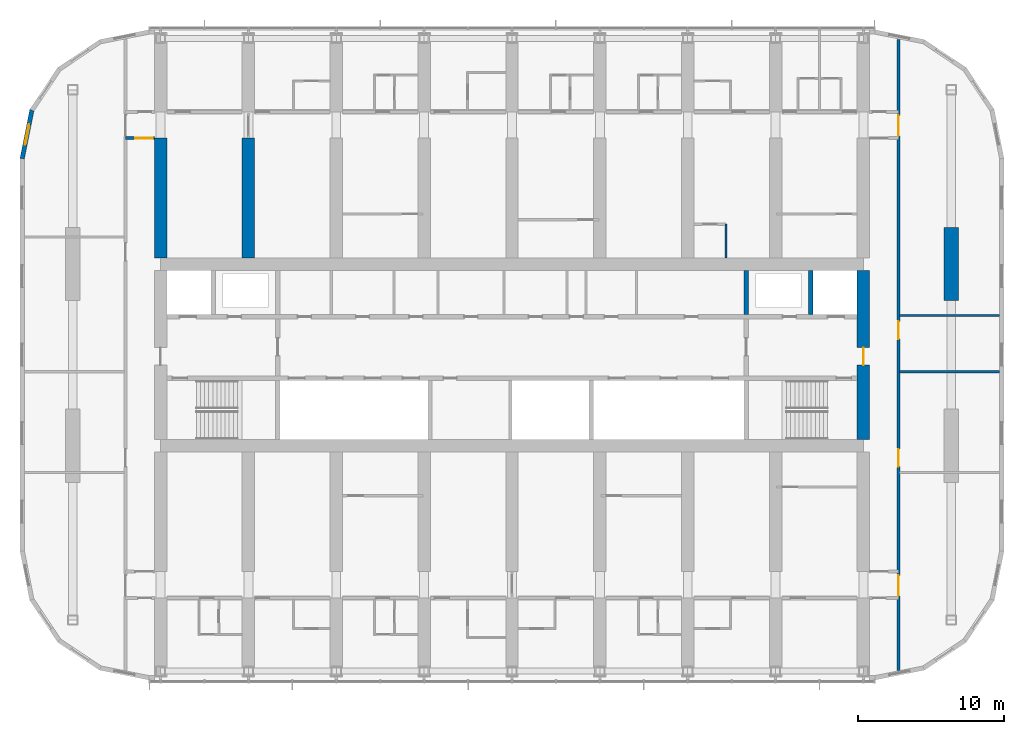
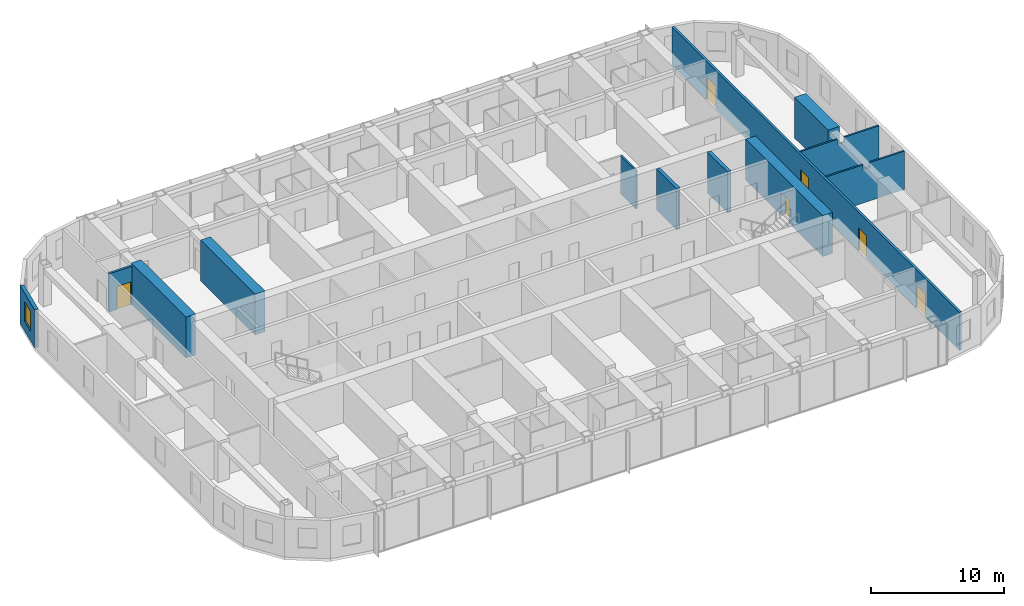
# One storey, part 14 of 22: 12 walls, 6 doors, 1 window, 7 openings.
"""IFC4 building model written with IfcOpenShell, lengths in metres."""

from ifc_helpers import new_model, si_unit, direction, frame, frame_2d, origin, place, context, subcontext, project, spatial, polyline, rectangle, outline, extrude, material, layer, layer_set, type_object, element, fill, save


model = new_model("IFC4")

# Units and contexts
model_context = context("Model", 3, precision=1e-05, world=origin(), true_north=direction((0.0, 1.0)))
body_context = subcontext(model_context, "Body", "Model", "MODEL_VIEW")
ifc_project = project(units=[si_unit("LENGTHUNIT", "METRE"), si_unit("AREAUNIT", "SQUARE_METRE"), si_unit("VOLUMEUNIT", "CUBIC_METRE"), si_unit("PLANEANGLEUNIT", "RADIAN"), si_unit("MASSUNIT", "GRAM", prefix="KILO")], contexts=[model_context])

# Site, building, storey
site_placement = place(None, origin())
site = spatial("IfcSite", under=ifc_project, at=site_placement, CompositionType="ELEMENT")
building_placement = place(site_placement, origin())
building = spatial("IfcBuilding", under=site, at=building_placement, Name="Orbita Commons", CompositionType="ELEMENT")
storey_placement = place(building_placement, frame((0.0, 0.0, 156.10009765625)))
storey = spatial("IfcBuildingStorey", under=building, at=storey_placement, Name="L38", CompositionType="ELEMENT", Elevation=156.10009765625)

# Walls
ifc_material_1 = material(Name="Concrete C50/60", Category="concrete")
ifc_layer_1 = layer(ifc_material_1, 0.300048828125)
ifc_layer_set_1 = layer_set([ifc_layer_1], Name="Concrete C50/60")
wall_type_1 = type_object("IfcWallType", Name="Core inner wall 300 C50/60", PredefinedType="SHEAR", material=ifc_layer_set_1)
for number, where, z_axis, x_axis, name in (
    (1, (62.39990234375, 34.75, 0.0), (0.0, 0.0, 1.0), (0.0, 1.0, 0.0), "Firefighting lift FL2 shaft wall L38"),
    (2, (58.0, 34.75, 0.0), (0.0, 0.0, 1.0), (0.0, 1.0, 0.0), "Riser wall east L38"),
):
    element("IfcWall", number, at=place(storey_placement, frame(where, z_axis=z_axis, x_axis=x_axis)), inside=storey, type_object=wall_type_1, Name=name, PredefinedType="SHEAR", context=body_context, shape_type="SweptSolid", body=[
        extrude(rectangle(XDim=3.02490234375, YDim=0.300048828125, at=frame_2d((1.512451171875, 0.0))), origin(), (0.0, 0.0, 1.0), 3.75),
    ])

# Wall, opening, door
ifc_material_2 = material(Name="Concrete C50/60", Category="concrete")
ifc_layer_2 = layer(ifc_material_2, 0.85009765625)
ifc_layer_set_2 = layer_set([ifc_layer_2], Name="Concrete C50/60")
wall_type_2 = type_object("IfcWallType", Name="Core wall 850 C50/60", PredefinedType="SHEAR", material=ifc_layer_set_2)
wall_1_placement = place(storey_placement, frame((66.0, 26.22509765625, 0.0), z_axis=(0.0, 0.0, 1.0), x_axis=(0.0, 1.0, 0.0)))
wall_1 = element("IfcWall", 3, at=wall_1_placement, inside=storey, type_object=wall_type_2, Name="Core end wall east L38", PredefinedType="SHEAR", context=body_context, shape_type="SweptSolid", body=[
    extrude(rectangle(XDim=11.5498046875, YDim=0.85009765625, at=frame_2d((5.77490234375, 0.0))), origin(), (0.0, 0.0, 1.0), 3.75),
])
opening_1_placement = place(wall_1_placement, frame((5.074951171875, 0.0, 0.0)))
opening_1 = element("IfcOpeningElement", 4, at=opening_1_placement, cuts=wall_1, Name="Opening D01", PredefinedType="OPENING", context=body_context, shape_type="SweptSolid", body=[
    extrude(rectangle(XDim=1.199951171875, YDim=2.10009765625, at=frame_2d((0.60009765625, 1.050048828125))), frame((0.0, 0.43505859375, 0.0), z_axis=(0.0, -1.0, 0.0), x_axis=(1.0, 0.0, 0.0)), (0.0, 0.0, 1.0), 0.8701171875),
])
ifc_material_3 = material(Name="Steel-faced fire door leaf", Category="steel")
door_type_1 = type_object("IfcDoorType", Name="Fire door 90 min 1200x2100", OperationType="SINGLE_SWING_LEFT", PredefinedType="DOOR", material=ifc_material_3)
door_1_placement = place(opening_1_placement, origin())
door_1 = element("IfcDoor", 5, at=door_1_placement, inside=storey, type_object=door_type_1, Name="Firefighting lobby east door", OperationType="SINGLE_SWING_LEFT", OverallHeight=2.10009765625, OverallWidth=1.199951171875, PredefinedType="DOOR", context=body_context, shape_type="SweptSolid", body=[
    extrude(rectangle(XDim=1.199951171875, YDim=2.10009765625, at=frame_2d((0.60009765625, 1.050048828125))), frame((0.0, 0.02490234375, 0.0), z_axis=(0.0, -1.0, 0.0), x_axis=(1.0, 0.0, 0.0)), (0.0, 0.0, 1.0), 0.050048828125),
])
fill(opening_1, door_1)

# Wall, openings, doors
ifc_material_4 = material(Name="Concrete blockwork", Category="masonry")
ifc_layer_3 = layer(ifc_material_4, 0.199951171875)
ifc_layer_set_3 = layer_set([ifc_layer_3], Name="Concrete blockwork")
wall_type_3 = type_object("IfcWallType", Name="Corridor wall 200 blockwork", PredefinedType="SOLIDWALL", material=ifc_layer_set_3)
wall_2_placement = place(storey_placement, frame((68.39990234375, 10.4462890625, 0.0), z_axis=(0.0, 0.0, 1.0), x_axis=(0.0, 1.0, 0.0)))
wall_2 = element("IfcWall", 6, at=wall_2_placement, inside=storey, type_object=wall_type_3, Name="Corridor wall 200 blockwork L38", PredefinedType="SOLIDWALL", context=body_context, shape_type="SweptSolid", body=[
    extrude(rectangle(XDim=43.107421875, YDim=0.199951171875, at=frame_2d((21.5537109375, 0.0))), origin(), (0.0, 0.0, 1.0), 3.5),
])
opening_2_placement = place(wall_2_placement, frame((13.913818359375, 0.0, 0.0)))
opening_2 = element("IfcOpeningElement", 7, at=opening_2_placement, cuts=wall_2, Name="Opening D15", PredefinedType="OPENING", context=body_context, shape_type="SweptSolid", body=[
    extrude(rectangle(XDim=1.199951171875, YDim=2.10009765625, at=frame_2d((0.60009765625, 1.050048828125))), frame((0.0, 0.10986328125, 0.0), z_axis=(0.0, -1.0, 0.0), x_axis=(1.0, 0.0, 0.0)), (0.0, 0.0, 1.0), 0.219970703125),
])
opening_3_placement = place(wall_2_placement, frame((22.6337890625, 0.0, 0.0)))
opening_3 = element("IfcOpeningElement", 8, at=opening_3_placement, cuts=wall_2, Name="Opening D15", PredefinedType="OPENING", context=body_context, shape_type="SweptSolid", body=[
    extrude(rectangle(XDim=1.199951171875, YDim=2.10009765625, at=frame_2d((0.60009765625, 1.050048828125))), frame((0.0, 0.10986328125, 0.0), z_axis=(0.0, -1.0, 0.0), x_axis=(1.0, 0.0, 0.0)), (0.0, 0.0, 1.0), 0.219970703125),
])
opening_4_placement = place(wall_2_placement, frame((5.103759765625, 0.0, 0.0)))
opening_4 = element("IfcOpeningElement", 9, at=opening_4_placement, cuts=wall_2, Name="Opening D08", PredefinedType="OPENING", context=body_context, shape_type="SweptSolid", body=[
    extrude(rectangle(XDim=1.39990234375, YDim=2.10009765625, at=frame_2d((0.699951171875, 1.050048828125))), frame((0.0, 0.10986328125, 0.0), z_axis=(0.0, -1.0, 0.0), x_axis=(1.0, 0.0, 0.0)), (0.0, 0.0, 1.0), 0.219970703125),
])
opening_5_placement = place(wall_2_placement, frame((36.50390625, 0.0, 0.0)))
opening_5 = element("IfcOpeningElement", 10, at=opening_5_placement, cuts=wall_2, Name="Opening D08", PredefinedType="OPENING", context=body_context, shape_type="SweptSolid", body=[
    extrude(rectangle(XDim=1.39990234375, YDim=2.10009765625, at=frame_2d((0.699951171875, 1.050048828125))), frame((0.0, 0.10986328125, 0.0), z_axis=(0.0, -1.0, 0.0), x_axis=(1.0, 0.0, 0.0)), (0.0, 0.0, 1.0), 0.219970703125),
])
ifc_material_5 = material(Name="Steel-faced fire door leaf", Category="steel")
door_type_2 = type_object("IfcDoorType", Name="Corridor door 20 min 1200x2100", OperationType="SINGLE_SWING_LEFT", PredefinedType="DOOR", material=ifc_material_5)
door_2_placement = place(opening_2_placement, origin())
door_2 = element("IfcDoor", 11, at=door_2_placement, inside=storey, type_object=door_type_2, Name="Study hall door", OperationType="SINGLE_SWING_LEFT", OverallHeight=2.10009765625, OverallWidth=1.199951171875, PredefinedType="DOOR", context=body_context, shape_type="SweptSolid", body=[
    extrude(rectangle(XDim=1.199951171875, YDim=2.10009765625, at=frame_2d((0.60009765625, 1.050048828125))), frame((0.0, 0.02490234375, 0.0), z_axis=(0.0, -1.0, 0.0), x_axis=(1.0, 0.0, 0.0)), (0.0, 0.0, 1.0), 0.050048828125),
])
fill(opening_2, door_2)
door_3_placement = place(opening_3_placement, origin())
door_3 = element("IfcDoor", 12, at=door_3_placement, inside=storey, type_object=door_type_2, Name="Observatory lounge door", OperationType="SINGLE_SWING_LEFT", OverallHeight=2.10009765625, OverallWidth=1.199951171875, PredefinedType="DOOR", context=body_context, shape_type="SweptSolid", body=[
    extrude(rectangle(XDim=1.199951171875, YDim=2.10009765625, at=frame_2d((0.60009765625, 1.050048828125))), frame((0.0, 0.02490234375, 0.0), z_axis=(0.0, -1.0, 0.0), x_axis=(1.0, 0.0, 0.0)), (0.0, 0.0, 1.0), 0.050048828125),
])
fill(opening_3, door_3)
ifc_material_6 = material(Name="Steel-faced fire door leaf", Category="steel")
door_type_3 = type_object("IfcDoorType", Name="Double corridor door 20 min 1400x2100", OperationType="DOUBLE_DOOR_SINGLE_SWING", PredefinedType="DOOR", material=ifc_material_6)
door_4_placement = place(opening_4_placement, origin())
door_4 = element("IfcDoor", 13, at=door_4_placement, inside=storey, type_object=door_type_3, Name="Lounge doors", OperationType="DOUBLE_DOOR_SINGLE_SWING", OverallHeight=2.10009765625, OverallWidth=1.39990234375, PredefinedType="DOOR", context=body_context, shape_type="SweptSolid", body=[
    extrude(rectangle(XDim=1.39990234375, YDim=2.10009765625, at=frame_2d((0.699951171875, 1.050048828125))), frame((0.0, 0.02490234375, 0.0), z_axis=(0.0, -1.0, 0.0), x_axis=(1.0, 0.0, 0.0)), (0.0, 0.0, 1.0), 0.050048828125),
])
fill(opening_4, door_4)
door_5_placement = place(opening_5_placement, origin())
door_5 = element("IfcDoor", 14, at=door_5_placement, inside=storey, type_object=door_type_3, Name="Lounge doors", OperationType="DOUBLE_DOOR_SINGLE_SWING", OverallHeight=2.10009765625, OverallWidth=1.39990234375, PredefinedType="DOOR", context=body_context, shape_type="SweptSolid", body=[
    extrude(rectangle(XDim=1.39990234375, YDim=2.10009765625, at=frame_2d((0.699951171875, 1.050048828125))), frame((0.0, 0.02490234375, 0.0), z_axis=(0.0, -1.0, 0.0), x_axis=(1.0, 0.0, 0.0)), (0.0, 0.0, 1.0), 0.050048828125),
])
fill(opening_5, door_5)

# Wall, opening, door
ifc_material_7 = material(Name="Hollow concrete block 200", Category="concrete")
ifc_layer_4 = layer(ifc_material_7, 0.199951171875)
ifc_layer_set_4 = layer_set([ifc_layer_4], Name="Hollow concrete block 200")
wall_type_4 = type_object("IfcWallType", Name="Corridor wall 200 hollow concrete block", PredefinedType="SOLIDWALL", material=ifc_layer_set_4)
wall_3_placement = place(storey_placement, frame((15.60009765625, 46.800048828125, 0.0), z_axis=(0.0, 0.0, 1.0), x_axis=(1.0, 0.0, 0.0)))
wall_3 = element("IfcWall", 15, at=wall_3_placement, inside=storey, type_object=wall_type_4, Name="Corridor wall 200 hollow concrete block L38", PredefinedType="SOLIDWALL", context=body_context, shape_type="SweptSolid", body=[
    extrude(rectangle(XDim=1.974853515625, YDim=0.199951171875, at=frame_2d((0.9873046875, 0.0))), origin(), (0.0, 0.0, 1.0), 3.5),
])
opening_6_placement = place(wall_3_placement, frame((0.675048828125, 0.0, 0.0)))
opening_6 = element("IfcOpeningElement", 16, at=opening_6_placement, cuts=wall_3, Name="Opening D12", PredefinedType="OPENING", context=body_context, shape_type="SweptSolid", body=[
    extrude(rectangle(XDim=1.199951171875, YDim=2.10009765625, at=frame_2d((0.60009765625, 1.050048828125))), frame((0.0, 0.10986328125, 0.0), z_axis=(0.0, -1.0, 0.0), x_axis=(1.0, 0.0, 0.0)), (0.0, 0.0, 1.0), 0.219970703125),
])
ifc_material_8 = material(Name="Steel-faced fire door leaf", Category="steel")
door_type_4 = type_object("IfcDoorType", Name="Double corridor door 20 min 1200x2100", OperationType="DOUBLE_DOOR_SINGLE_SWING", PredefinedType="DOOR", material=ifc_material_8)
door_6_placement = place(opening_6_placement, origin())
door_6 = element("IfcDoor", 17, at=door_6_placement, inside=storey, type_object=door_type_4, Name="Cross corridor doors", OperationType="DOUBLE_DOOR_SINGLE_SWING", OverallHeight=2.10009765625, OverallWidth=1.199951171875, PredefinedType="DOOR", context=body_context, shape_type="SweptSolid", body=[
    extrude(rectangle(XDim=1.199951171875, YDim=2.10009765625, at=frame_2d((0.60009765625, 1.050048828125))), frame((0.0, 0.02490234375, 0.0), z_axis=(0.0, -1.0, 0.0), x_axis=(1.0, 0.0, 0.0)), (0.0, 0.0, 1.0), 0.050048828125),
])
fill(opening_6, door_6)

# Walls
ifc_material_9 = material(Name="Concrete C50/60", Category="concrete")
ifc_layer_5 = layer(ifc_material_9, 0.85009765625)
ifc_layer_set_5 = layer_set([ifc_layer_5], Name="Concrete C50/60")
wall_type_5 = type_object("IfcWallType", Name="Cross wall 850 C50/60", PredefinedType="SHEAR", material=ifc_layer_set_5)
for number, where, z_axis, x_axis, name in (
    (18, (18.0, 38.625, 0.0), (0.0, 0.0, 1.0), (0.0, 1.0, 0.0), "Cross wall 4 north inner L38"),
    (19, (24.0, 38.625, 0.0), (0.0, 0.0, 1.0), (0.0, 1.0, 0.0), "Cross wall 5 north inner L38"),
):
    element("IfcWall", number, at=place(storey_placement, frame(where, z_axis=z_axis, x_axis=x_axis)), inside=storey, type_object=wall_type_5, Name=name, PredefinedType="SHEAR", context=body_context, shape_type="SweptSolid", body=[
        extrude(rectangle(XDim=8.175048828125, YDim=0.85009765625, at=frame_2d((4.08740234375, 0.0))), origin(), (0.0, 0.0, 1.0), 3.75),
    ])
ifc_material_10 = material(Name="Concrete C50/60", Category="concrete")
ifc_layer_6 = layer(ifc_material_10, 1.0)
ifc_layer_set_6 = layer_set([ifc_layer_6], Name="Concrete C50/60")
wall_type_6 = type_object("IfcWallType", Name="End pier 1000x5000 C50/60", PredefinedType="SHEAR", material=ifc_layer_set_6)
wall_4_placement = place(storey_placement, frame((72.0, 35.699951171875, 0.0), z_axis=(0.0, 0.0, 1.0), x_axis=(0.0, 1.0, 0.0)))
element("IfcWall", 20, at=wall_4_placement, inside=storey, type_object=wall_type_6, Name="End pier 13/D L38", PredefinedType="SHEAR", context=body_context, shape_type="SweptSolid", body=[
    extrude(rectangle(XDim=5.0, YDim=1.0, at=frame_2d((2.5, 0.0))), origin(), (0.0, 0.0, 1.0), 3.75),
])
ifc_material_11 = material(Name="Gypsum plasterboard on steel studs", Category="steel")
ifc_layer_7 = layer(ifc_material_11, 0.14990234375)
ifc_layer_set_7 = layer_set([ifc_layer_7], Name="Gypsum plasterboard on steel studs")
wall_type_7 = type_object("IfcWallType", Name="Partition 150 plasterboard", PredefinedType="PARTITIONING", material=ifc_layer_set_7)
wall_5_placement = place(storey_placement, frame((56.625, 40.925048828125, 0.0), z_axis=(0.0, 0.0, 1.0), x_axis=(0.0, -1.0, 0.0)))
element("IfcWall", 21, at=wall_5_placement, inside=storey, type_object=wall_type_7, Name="Partition 150 plasterboard L38", PredefinedType="PARTITIONING", context=body_context, shape_type="SweptSolid", body=[
    extrude(rectangle(XDim=2.300048828125, YDim=0.14990234375, at=frame_2d((1.14990234375, 0.0))), origin(), (0.0, 0.0, 1.0), 3.5),
])
for number, where, z_axis, x_axis, name in (
    (22, (68.47509765625, 30.85009765625, 0.0), (0.0, 0.0, 1.0), (1.0, 0.0, 0.0), "Partition 150 plasterboard L38"),
    (23, (68.47509765625, 34.679931640625, 0.0), (0.0, 0.0, 1.0), (1.0, 0.0, 0.0), "Partition 150 plasterboard L38"),
):
    element("IfcWall", number, at=place(storey_placement, frame(where, z_axis=z_axis, x_axis=x_axis)), inside=storey, type_object=wall_type_7, Name=name, PredefinedType="PARTITIONING", context=body_context, shape_type="SweptSolid", body=[
        extrude(outline(polyline([(0.0, 0.0), (6.81982421875, 0.0), (6.820068359375, 3.5), (3.826904296875, 3.5), (3.824951171875, 3.0498046875), (3.22705078125, 3.0498046875), (3.22509765625, 3.5), (0.0, 3.5), (0.0, 0.0)])), frame((0.0, 0.074951171875, 0.0), z_axis=(0.0, -1.0, 0.0), x_axis=(1.0, 0.0, 0.0)), (0.0, 0.0, 1.0), 0.14990234375),
    ])

# Wall, opening, window
ifc_material_12 = material(Name="Precast concrete C40/50, white board-marked finish", Category="concrete")
ifc_layer_8 = layer(ifc_material_12, 0.300048828125)
ifc_layer_set_8 = layer_set([ifc_layer_8], Name="Precast concrete C40/50, white board-marked finish")
wall_type_8 = type_object("IfcWallType", Name="Precast concrete end shield 300", PredefinedType="SOLIDWALL", material=ifc_layer_set_8)
wall_6_placement = place(storey_placement, frame((9.20849609375, 48.710205078125, 0.0), z_axis=(0.0, 0.0, 1.0), x_axis=(-0.19508664885, -0.980786011034, 0.0)))
wall_6 = element("IfcWall", 24, at=wall_6_placement, inside=storey, type_object=wall_type_8, Name="End shield NW chord 4 L38", PredefinedType="SOLIDWALL", context=body_context, shape_type="SweptSolid", body=[
    extrude(outline(polyline([(-0.02978515625, -0.14990234375), (3.39013671875, -0.14990234375), (3.3603515625, 0.14990234375), (0.02978515625, 0.14990234375), (-0.02978515625, -0.14990234375)])), origin(), (0.0, 0.0, 1.0), 3.5),
])
opening_7_placement = place(wall_6_placement, frame((0.987548828125, 0.0, 0.89990234375)))
opening_7 = element("IfcOpeningElement", 25, at=opening_7_placement, cuts=wall_6, Name="Opening W02", PredefinedType="OPENING", context=body_context, shape_type="SweptSolid", body=[
    extrude(rectangle(XDim=1.39990234375, YDim=1.800048828125, at=frame_2d((0.699951171875, 0.89990234375))), frame((0.0, 0.159912109375, 0.0), z_axis=(0.0, -1.0, 0.0), x_axis=(1.0, 0.0, 0.0)), (0.0, 0.0, 1.0), 0.320068359375),
])
ifc_material_13 = material(Name="Aluminium frame, clear double glazing", Category="aluminium")
window_type = type_object("IfcWindowType", Name="Deep-set window 1400x1800", PartitioningType="SINGLE_PANEL", PredefinedType="WINDOW", material=ifc_material_13)
window_placement = place(opening_7_placement, origin())
window = element("IfcWindow", 26, at=window_placement, inside=storey, type_object=window_type, Name="Window L38-NW3", OverallHeight=1.800048828125, OverallWidth=1.39990234375, PartitioningType="SINGLE_PANEL", PredefinedType="WINDOW", context=body_context, shape_type="SweptSolid", body=[
    extrude(rectangle(XDim=1.39990234375, YDim=1.800048828125, at=frame_2d((0.699951171875, 0.89990234375))), frame((0.0, 0.030029296875, 0.0), z_axis=(0.0, -1.0, 0.0), x_axis=(1.0, 0.0, 0.0)), (0.0, 0.0, 1.0), 0.06005859375),
])
fill(opening_7, window)

save(model, "model.ifc")
